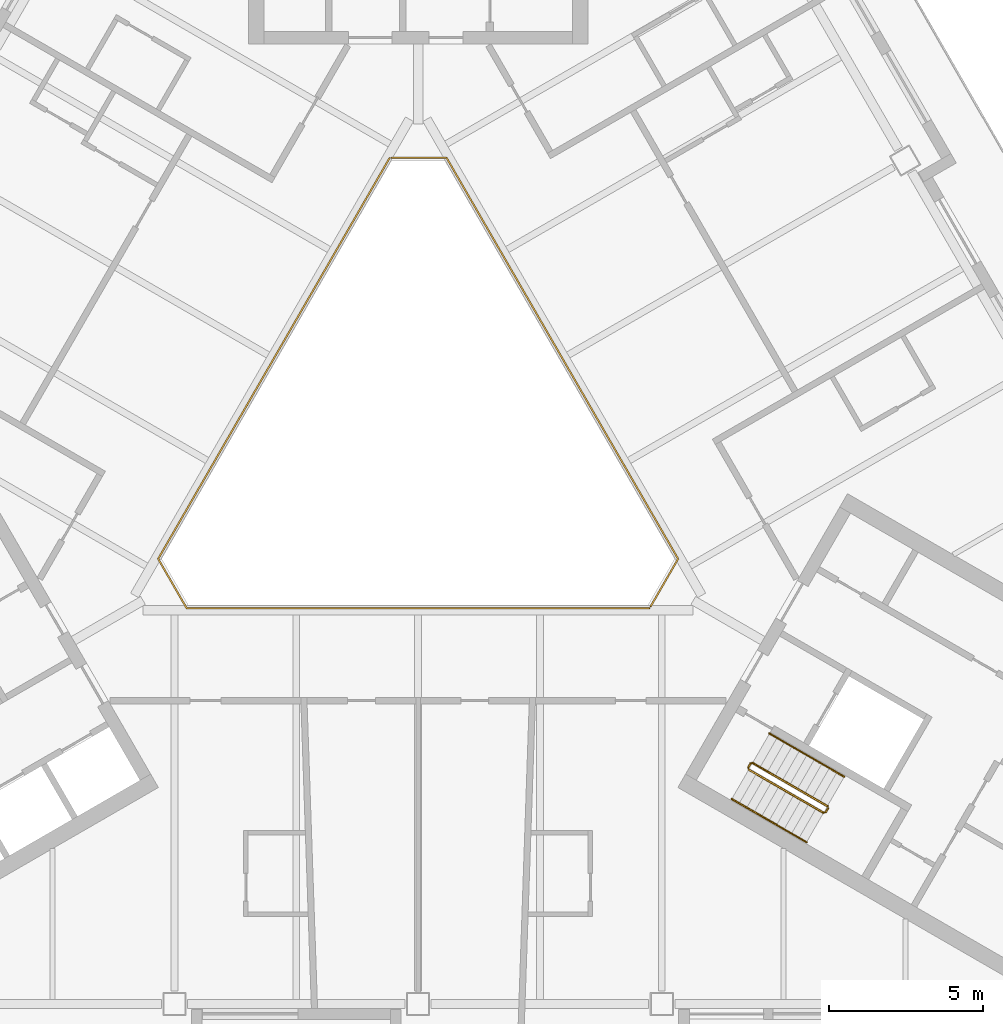
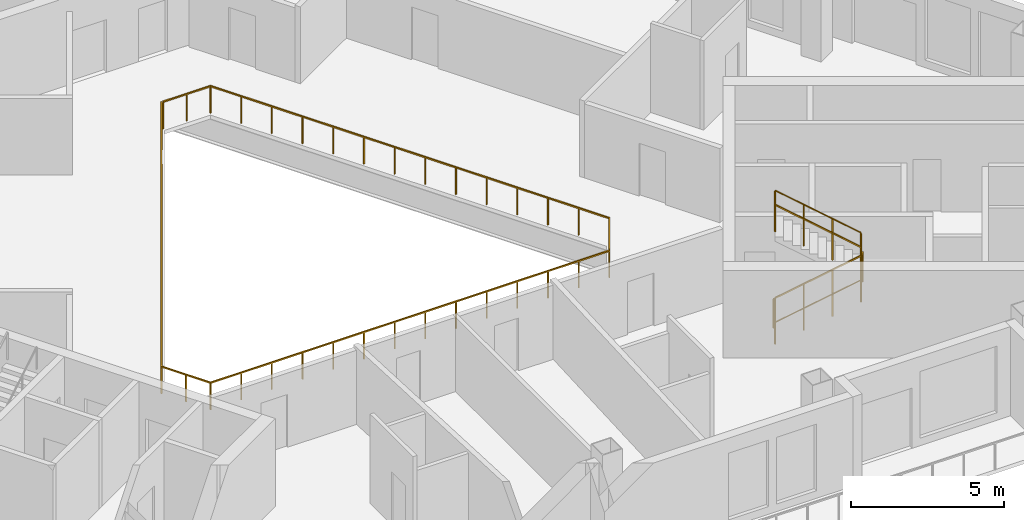
# One storey, part 11 of 13: 8 railings.
"""IFC4 building model written with IfcOpenShell, lengths in metres."""

import ifcopenshell
import ifcopenshell.guid

model = None  # the IFC model being written
_history = None  # IfcOwnerHistory: only IFC2X3 demands one
_inside = {}  # id of a spatial element -> (the spatial element, [elements in it])
_under = {}  # id of a project, library or spatial element -> (it, [spatial elements below it])
_declared = {}  # id of a project -> (the project, [libraries it declares])
_typed = {}  # id of a type object -> (the type object, [elements of that type])
_made_of = {}  # id of a material, layer set ... -> (it, [elements and type objects made of it])


def new_model(schema):
    """Start an empty IFC model of exactly this schema.

    Asked for "IFC4X3", IfcOpenShell would pick the latest addendum, in which some entities
    have other attributes; the version numbers below select the first issue.
    IFC2X3 requires an IfcOwnerHistory on every rooted entity: one is made here for all.
    """
    global model, _history
    if schema == "IFC4X3":
        model = ifcopenshell.file(schema_version=(4, 3, 0, 0))
    else:
        model = ifcopenshell.file(schema=schema)
    _inside.clear()
    _under.clear()
    _declared.clear()
    _typed.clear()
    _made_of.clear()
    _history = None
    if model.schema == "IFC2X3":
        org = make("IfcOrganization", Name="unknown")
        user = make(
            "IfcPersonAndOrganization",
            ThePerson=make("IfcPerson", FamilyName="unknown"),
            TheOrganization=org,
        )
        app = make(
            "IfcApplication",
            ApplicationDeveloper=org,
            Version="unknown",
            ApplicationFullName="unknown",
            ApplicationIdentifier="unknown",
        )
        _history = make(
            "IfcOwnerHistory",
            OwningUser=user,
            OwningApplication=app,
            ChangeAction="ADDED",
            CreationDate=0,
        )
    return model


def make(cls, **values):
    """One entity of the class cls with the attributes given. An attribute that is None is left unset."""
    return model.create_entity(
        cls, **{name: value for name, value in values.items() if value is not None}
    )


def rooted(cls, **values):
    """An entity with a GlobalId (a new one), such as an element, a storey or a relation."""
    return make(cls, GlobalId=ifcopenshell.guid.new(), OwnerHistory=_history, **values)


def si_unit(unit_type, name, prefix=None):
    """IfcSIUnit, for example si_unit("LENGTHUNIT", "METRE", prefix="MILLI")."""
    return make("IfcSIUnit", UnitType=unit_type, Prefix=prefix, Name=name)


def assignment(units):
    """IfcUnitAssignment: the units of a project."""
    return None if units is None else make("IfcUnitAssignment", Units=units)


def point(xyz):
    """IfcCartesianPoint."""
    return None if xyz is None else make("IfcCartesianPoint", Coordinates=xyz)


def direction(xyz):
    """IfcDirection."""
    return None if xyz is None else make("IfcDirection", DirectionRatios=xyz)


def frame(location, z_axis=None, x_axis=None):
    """IfcAxis2Placement3D, a coordinate frame: its origin and axes. An axis left out is left unset."""
    return make(
        "IfcAxis2Placement3D",
        Location=point(location),
        Axis=direction(z_axis),
        RefDirection=direction(x_axis),
    )


def frame_2d(location, x_axis=None):
    """IfcAxis2Placement2D, a coordinate frame in the plane: its origin and x axis."""
    return make(
        "IfcAxis2Placement2D", Location=point(location), RefDirection=direction(x_axis)
    )


def origin():
    """The frame at (0, 0, 0) with its axes left unset."""
    return frame((0.0, 0.0, 0.0))


def origin_2d():
    """The frame at (0, 0) in the plane with its x axis left unset."""
    return frame_2d((0.0, 0.0))


def place(relative_to, where):
    """IfcLocalPlacement: puts the frame where relative to a parent placement (None: the world)."""
    return make(
        "IfcLocalPlacement", PlacementRelTo=relative_to, RelativePlacement=where
    )


def context(
    kind, dimensions, precision=None, world=None, true_north=None, identifier=None
):
    """IfcGeometricRepresentationContext, for example the 3D "Model" context."""
    return make(
        "IfcGeometricRepresentationContext",
        ContextIdentifier=identifier,
        ContextType=kind,
        CoordinateSpaceDimension=dimensions,
        Precision=precision,
        WorldCoordinateSystem=world,
        TrueNorth=true_north,
    )


def subcontext(parent, identifier, kind, view, scale=None):
    """IfcGeometricRepresentationSubContext, for example "Body" below "Model"."""
    return make(
        "IfcGeometricRepresentationSubContext",
        ContextIdentifier=identifier,
        ContextType=kind,
        ParentContext=parent,
        TargetScale=scale,
        TargetView=view,
    )


def project(units=None, contexts=None):
    """IfcProject with its units and contexts."""
    return rooted(
        "IfcProject",
        Name="project",
        RepresentationContexts=contexts,
        UnitsInContext=assignment(units),
    )


def spatial(cls, under=None, at=None, **own):
    """A site, building, storey or space (cls), placed at a placement, below another one or the project."""
    s = rooted(cls, ObjectPlacement=at, **own)
    if under is not None:
        _under.setdefault(under.id(), (under, []))[1].append(s)
    return s


def profile(cls, at=None, kind="AREA", **sizes):
    """A parametric profile (cls). Its sizes go by their IFC names, for example OverallWidth=200.0."""
    return make(cls, ProfileType=kind, Position=at, **sizes)


def rectangle(**sizes):
    """IfcRectangleProfileDef."""
    return profile("IfcRectangleProfileDef", **sizes)


def circle(**sizes):
    """IfcCircleProfileDef."""
    return profile("IfcCircleProfileDef", **sizes)


def extrude(swept, where, along, depth):
    """IfcExtrudedAreaSolid: the profile swept, set in the frame where, extruded along a direction by depth."""
    return make(
        "IfcExtrudedAreaSolid",
        SweptArea=swept,
        Position=where,
        ExtrudedDirection=direction(along),
        Depth=depth,
    )


def shape(context_of_items, identifier, shape_type, items):
    """IfcShapeRepresentation: the items that make up one representation, for example the "Body"."""
    return make(
        "IfcShapeRepresentation",
        ContextOfItems=context_of_items,
        RepresentationIdentifier=identifier,
        RepresentationType=shape_type,
        Items=items,
    )


def material(Name=None, Category=None):
    """IfcMaterial."""
    return make("IfcMaterial", Name=Name, Category=Category)


def made_of(thing, what):
    """Note that an element or type object is made of a material, layer set ...; save() writes the relation."""
    if what is not None:
        _made_of.setdefault(what.id(), (what, []))[1].append(thing)
    return thing


def type_object(cls, material=None, **own):
    """A type object (cls), such as IfcWallType, which elements share."""
    return made_of(rooted(cls, **own), material)


def element(
    cls,
    number,
    at=None,
    inside=None,
    cuts=None,
    type_object=None,
    material=None,
    context=None,
    identifier="Body",
    shape_type=None,
    held_by="IfcProductDefinitionShape",
    body=None,
    shapes=None,
    **own,
):
    """One element of the class cls, such as IfcWall. Its Tag is "e" and its number.

    at: its placement. inside: the storey or other place that contains it. cuts: it is an
    opening in that element (IfcRelVoidsElement). A single representation is given by context,
    identifier, shape_type and body (its items); several are given by shapes. held_by: the class
    of the entity that holds the representations. save() writes the other relations.
    """
    e = rooted(cls, Tag="e%d" % number, ObjectPlacement=at, **own)
    if body is not None:
        shapes = [shape(context, identifier, shape_type, body)]
    if shapes is not None:
        e.Representation = make(held_by, Representations=shapes)
    if inside is not None:
        _inside.setdefault(inside.id(), (inside, []))[1].append(e)
    if cuts is not None:
        rooted(
            "IfcRelVoidsElement", RelatingBuildingElement=cuts, RelatedOpeningElement=e
        )
    if type_object is not None:
        _typed.setdefault(type_object.id(), (type_object, []))[1].append(e)
    return made_of(e, material)


def aggregate(whole, parts):
    """IfcRelAggregates: a whole, such as a stair, and the parts it consists of."""
    return rooted("IfcRelAggregates", RelatingObject=whole, RelatedObjects=parts)


def save(model, path):
    """Write the relations noted so far, then the file.

    IfcRelAggregates (storeys below a building ...), IfcRelContainedInSpatialStructure (elements
    in a storey), IfcRelDefinesByType, IfcRelAssociatesMaterial and IfcRelDeclares: one each for
    every whole, place, type object, material and project.
    """
    for whole, parts in _under.values():
        aggregate(whole, parts)
    for where, things in _inside.values():
        rooted(
            "IfcRelContainedInSpatialStructure",
            RelatedElements=things,
            RelatingStructure=where,
        )
    for kind, things in _typed.values():
        rooted("IfcRelDefinesByType", RelatedObjects=things, RelatingType=kind)
    for what, things in _made_of.values():
        rooted("IfcRelAssociatesMaterial", RelatedObjects=things, RelatingMaterial=what)
    for by, libraries in _declared.values():
        rooted("IfcRelDeclares", RelatingContext=by, RelatedDefinitions=libraries)
    model.write(path)


model = new_model("IFC4")

# Units and contexts
model_context = context("Model", 3, precision=1e-05, world=origin(), true_north=direction((0.0, 1.0)))
body_context = subcontext(model_context, "Body", "Model", "MODEL_VIEW")
ifc_project = project(units=[si_unit("LENGTHUNIT", "METRE"), si_unit("AREAUNIT", "SQUARE_METRE"), si_unit("VOLUMEUNIT", "CUBIC_METRE"), si_unit("PLANEANGLEUNIT", "RADIAN"), si_unit("MASSUNIT", "GRAM", prefix="KILO")], contexts=[model_context])

# Site, building, storey
site_placement = place(None, origin())
site = spatial("IfcSite", under=ifc_project, at=site_placement, CompositionType="ELEMENT")
building_placement = place(site_placement, origin())
building = spatial("IfcBuilding", under=site, at=building_placement, Name="Apuvela Tower Hotel", CompositionType="ELEMENT")
storey_placement = place(building_placement, frame((0.0, 0.0, 187.300048828125)))
storey = spatial("IfcBuildingStorey", under=building, at=storey_placement, Name="L45", CompositionType="ELEMENT", Elevation=187.300048828125)

# Railings
ifc_material_1 = material(Name="Steel S275 balustrade", Category="steel")
railing_type_1 = type_object("IfcRailingType", Name="COR-GUARD-1100", PredefinedType="GUARDRAIL", material=ifc_material_1)
railing_1_placement = place(storey_placement, frame((10.718994140625, -10.63427734375, 0.168212890625)))
element("IfcRailing", 1, at=railing_1_placement, inside=storey, type_object=railing_type_1, Name="L45 ST3 stair guard 1", PredefinedType="GUARDRAIL", context=body_context, shape_type="SweptSolid", body=[
    extrude(rectangle(XDim=0.048095703125, YDim=0.048095703125, at=origin_2d()), frame((0.0, 0.0, 1.076171875), z_axis=(0.74241905619, -0.428617687091, 0.514879426), x_axis=(0.49998411664, 0.866034573852, 0.0)), (0.0, 0.0, 1.0), 3.26611328125),
    extrude(rectangle(XDim=0.0419921875, YDim=0.0419921875, at=origin_2d()), origin(), (0.0, 0.0, 1.0), 1.052001953125),
    extrude(rectangle(XDim=0.0419921875, YDim=0.0419921875, at=origin_2d()), frame((0.808349609375, -0.466552734375, 0.560546875)), (0.0, 0.0, 1.0), 1.052001953125),
    extrude(rectangle(XDim=0.0419921875, YDim=0.0419921875, at=origin_2d()), frame((1.616455078125, -0.933349609375, 1.12109375)), (0.0, 0.0, 1.0), 1.052001953125),
    extrude(rectangle(XDim=0.0419921875, YDim=0.0419921875, at=origin_2d()), frame((2.4248046875, -1.39990234375, 1.681640625)), (0.0, 0.0, 1.0), 1.052001953125),
])
railing_2_placement = place(storey_placement, frame((13.212158203125, -12.015869140625, 1.849853515625)))
element("IfcRailing", 2, at=railing_2_placement, inside=storey, type_object=railing_type_1, Name="L45 ST3 stair guard 2", PredefinedType="GUARDRAIL", context=body_context, shape_type="SweptSolid", body=[
    extrude(rectangle(XDim=0.048095703125, YDim=0.048095703125, at=origin_2d()), frame((0.0, 0.0, 1.076171875), z_axis=(0.499816412211, 0.866131372301, 0.0), x_axis=(-0.866131372301, 0.499816412211, 0.0)), (0.0, 0.0, 1.0), 0.14990234375),
    extrude(rectangle(XDim=0.0419921875, YDim=0.0419921875, at=origin_2d()), origin(), (0.0, 0.0, 1.0), 1.052001953125),
    extrude(rectangle(XDim=0.0419921875, YDim=0.0419921875, at=origin_2d()), frame((0.074951171875, 0.1298828125, 0.0)), (0.0, 0.0, 1.0), 1.052001953125),
])
railing_3_placement = place(storey_placement, frame((13.268798828125, -11.817626953125, 2.01806640625)))
element("IfcRailing", 3, at=railing_3_placement, inside=storey, type_object=railing_type_1, Name="L45 ST3 stair guard 3", PredefinedType="GUARDRAIL", context=body_context, shape_type="SweptSolid", body=[
    extrude(rectangle(XDim=0.048095703125, YDim=0.048095703125, at=origin_2d()), frame((0.0, 0.0, 1.076171875), z_axis=(-0.742390482028, 0.42860119049, 0.514934356695), x_axis=(-0.49998411664, -0.866034573852, 0.0)), (0.0, 0.0, 1.0), 3.26611328125),
    extrude(rectangle(XDim=0.0419921875, YDim=0.0419921875, at=origin_2d()), origin(), (0.0, 0.0, 1.0), 1.052001953125),
    extrude(rectangle(XDim=0.0419921875, YDim=0.0419921875, at=origin_2d()), frame((-0.808349609375, 0.466552734375, 0.560546875)), (0.0, 0.0, 1.0), 1.052001953125),
    extrude(rectangle(XDim=0.0419921875, YDim=0.0419921875, at=origin_2d()), frame((-1.616455078125, 0.933349609375, 1.121337890625)), (0.0, 0.0, 1.0), 1.052001953125),
    extrude(rectangle(XDim=0.0419921875, YDim=0.0419921875, at=origin_2d()), frame((-2.4248046875, 1.39990234375, 1.681884765625)), (0.0, 0.0, 1.0), 1.052001953125),
])
railing_4_placement = place(storey_placement, frame((10.70068359375, -10.56591796875, 0.0)))
element("IfcRailing", 4, at=railing_4_placement, inside=storey, type_object=railing_type_1, Name="L45 ST3 stair guard 4", PredefinedType="GUARDRAIL", context=body_context, shape_type="SweptSolid", body=[
    extrude(rectangle(XDim=0.048095703125, YDim=0.048095703125, at=origin_2d()), frame((0.0, 0.0, 1.076171875), z_axis=(0.499816412211, 0.866131372301, 0.0), x_axis=(-0.866131372301, 0.499816412211, 0.0)), (0.0, 0.0, 1.0), 0.14990234375),
    extrude(rectangle(XDim=0.0419921875, YDim=0.0419921875, at=origin_2d()), origin(), (0.0, 0.0, 1.0), 1.052001953125),
    extrude(rectangle(XDim=0.0419921875, YDim=0.0419921875, at=origin_2d()), frame((0.074951171875, 0.1298828125, 0.0)), (0.0, 0.0, 1.0), 1.052001953125),
])
ifc_material_2 = material(Name="Stainless steel 316 handrail", Category="steel")
railing_type_2 = type_object("IfcRailingType", Name="COR-HANDRAIL-900", PredefinedType="HANDRAIL", material=ifc_material_2)
railing_5_placement = place(storey_placement, frame((10.1689453125, -11.5869140625, 0.168212890625)))
element("IfcRailing", 5, at=railing_5_placement, inside=storey, type_object=railing_type_2, Name="L45 ST3 stair handrail 1", PredefinedType="HANDRAIL", context=body_context, shape_type="SweptSolid", body=[
    extrude(circle(Radius=0.02392578125, at=origin_2d()), frame((0.0, 0.0, 0.8759765625), z_axis=(0.74241905619, -0.428617687091, 0.514879426), x_axis=(0.49998411664, 0.866034573852, 0.0)), (0.0, 0.0, 1.0), 3.26611328125),
    extrude(rectangle(XDim=0.0419921875, YDim=0.0419921875, at=origin_2d()), origin(), (0.0, 0.0, 1.0), 0.851806640625),
    extrude(rectangle(XDim=0.0419921875, YDim=0.0419921875, at=origin_2d()), frame((0.808349609375, -0.466552734375, 0.560546875)), (0.0, 0.0, 1.0), 0.851806640625),
    extrude(rectangle(XDim=0.0419921875, YDim=0.0419921875, at=origin_2d()), frame((1.616455078125, -0.933349609375, 1.12109375)), (0.0, 0.0, 1.0), 0.851806640625),
    extrude(rectangle(XDim=0.0419921875, YDim=0.0419921875, at=origin_2d()), frame((2.4248046875, -1.39990234375, 1.681640625)), (0.0, 0.0, 1.0), 0.851806640625),
])
railing_6_placement = place(storey_placement, frame((13.81884765625, -10.864990234375, 2.01806640625)))
element("IfcRailing", 6, at=railing_6_placement, inside=storey, type_object=railing_type_2, Name="L45 ST3 stair handrail 2", PredefinedType="HANDRAIL", context=body_context, shape_type="SweptSolid", body=[
    extrude(circle(Radius=0.02392578125, at=origin_2d()), frame((0.0, 0.0, 0.8759765625), z_axis=(-0.742390482028, 0.42860119049, 0.514934356695), x_axis=(-0.49998411664, -0.866034573852, 0.0)), (0.0, 0.0, 1.0), 3.26611328125),
    extrude(rectangle(XDim=0.0419921875, YDim=0.0419921875, at=origin_2d()), origin(), (0.0, 0.0, 1.0), 0.851806640625),
    extrude(rectangle(XDim=0.0419921875, YDim=0.0419921875, at=origin_2d()), frame((-0.808349609375, 0.466552734375, 0.560546875)), (0.0, 0.0, 1.0), 0.851806640625),
    extrude(rectangle(XDim=0.0419921875, YDim=0.0419921875, at=origin_2d()), frame((-1.616455078125, 0.933349609375, 1.121337890625)), (0.0, 0.0, 1.0), 0.851806640625),
    extrude(rectangle(XDim=0.0419921875, YDim=0.0419921875, at=origin_2d()), frame((-2.4248046875, 1.39990234375, 1.681884765625)), (0.0, 0.0, 1.0), 0.851806640625),
])
ifc_material_3 = material(Name="Stainless steel 316 rail with laminated glass infill", Category="steel")
railing_type_3 = type_object("IfcRailingType", Name="ENV-GUARD-1100", PredefinedType="GUARDRAIL", material=ifc_material_3)
railing_7_placement = place(storey_placement, frame((-0.923828125, 9.199951171875, 0.0)))
element("IfcRailing", 7, at=railing_7_placement, inside=storey, type_object=railing_type_3, Name="Atrium void guard A L45", PredefinedType="GUARDRAIL", context=body_context, shape_type="SweptSolid", body=[
    extrude(rectangle(XDim=0.050048828125, YDim=0.050048828125, at=origin_2d()), frame((0.0, 0.0, 1.0751953125), z_axis=(-0.499990886379, -0.866030665472, 0.0), x_axis=(0.866030665472, -0.499990886379, 0.0)), (0.0, 0.0, 1.0), 15.010986328125),
    extrude(rectangle(XDim=0.050048828125, YDim=0.050048828125, at=origin_2d()), frame((-7.50537109375, -13.0, 1.0751953125), z_axis=(0.499962699187, -0.866046938348, 0.0), x_axis=(0.866046938348, 0.499962699187, 0.0)), (0.0, 0.0, 1.0), 1.847412109375),
    extrude(rectangle(XDim=0.050048828125, YDim=0.050048828125, at=origin_2d()), frame((-6.581787109375, -14.599853515625, 1.0751953125), z_axis=(1.0, 0.0, 0.0), x_axis=(0.0, 1.0, 0.0)), (0.0, 0.0, 1.0), 15.01123046875),
    extrude(rectangle(XDim=0.0400390625, YDim=0.0400390625, at=origin_2d()), origin(), (0.0, 0.0, 1.0), 1.050048828125),
    extrude(rectangle(XDim=0.0400390625, YDim=0.0400390625, at=origin_2d()), frame((-0.577392578125, -1.0, 0.0)), (0.0, 0.0, 1.0), 1.050048828125),
    extrude(rectangle(XDim=0.0400390625, YDim=0.0400390625, at=origin_2d()), frame((-1.15478515625, -2.0, 0.0)), (0.0, 0.0, 1.0), 1.050048828125),
    extrude(rectangle(XDim=0.0400390625, YDim=0.0400390625, at=origin_2d()), frame((-1.73193359375, -3.0, 0.0)), (0.0, 0.0, 1.0), 1.050048828125),
    extrude(rectangle(XDim=0.0400390625, YDim=0.0400390625, at=origin_2d()), frame((-2.309326171875, -4.0, 0.0)), (0.0, 0.0, 1.0), 1.050048828125),
    extrude(rectangle(XDim=0.0400390625, YDim=0.0400390625, at=origin_2d()), frame((-2.88671875, -5.0, 0.0)), (0.0, 0.0, 1.0), 1.050048828125),
    extrude(rectangle(XDim=0.0400390625, YDim=0.0400390625, at=origin_2d()), frame((-3.464111328125, -6.0, 0.0)), (0.0, 0.0, 1.0), 1.050048828125),
    extrude(rectangle(XDim=0.0400390625, YDim=0.0400390625, at=origin_2d()), frame((-4.041259765625, -7.0, 0.0)), (0.0, 0.0, 1.0), 1.050048828125),
    extrude(rectangle(XDim=0.0400390625, YDim=0.0400390625, at=origin_2d()), frame((-4.61865234375, -8.0, 0.0)), (0.0, 0.0, 1.0), 1.050048828125),
    extrude(rectangle(XDim=0.0400390625, YDim=0.0400390625, at=origin_2d()), frame((-5.196044921875, -9.0, 0.0)), (0.0, 0.0, 1.0), 1.050048828125),
    extrude(rectangle(XDim=0.0400390625, YDim=0.0400390625, at=origin_2d()), frame((-5.7734375, -10.0, 0.0)), (0.0, 0.0, 1.0), 1.050048828125),
    extrude(rectangle(XDim=0.0400390625, YDim=0.0400390625, at=origin_2d()), frame((-6.3505859375, -11.0, 0.0)), (0.0, 0.0, 1.0), 1.050048828125),
    extrude(rectangle(XDim=0.0400390625, YDim=0.0400390625, at=origin_2d()), frame((-6.927978515625, -12.0, 0.0)), (0.0, 0.0, 1.0), 1.050048828125),
    extrude(rectangle(XDim=0.0400390625, YDim=0.0400390625, at=origin_2d()), frame((-7.50537109375, -13.0, 0.0)), (0.0, 0.0, 1.0), 1.050048828125),
    extrude(rectangle(XDim=0.0400390625, YDim=0.0400390625, at=origin_2d()), frame((-7.04345703125, -13.7998046875, 0.0)), (0.0, 0.0, 1.0), 1.050048828125),
    extrude(rectangle(XDim=0.0400390625, YDim=0.0400390625, at=origin_2d()), frame((-6.581787109375, -14.599853515625, 0.0)), (0.0, 0.0, 1.0), 1.050048828125),
    extrude(rectangle(XDim=0.0400390625, YDim=0.0400390625, at=origin_2d()), frame((-5.427001953125, -14.599853515625, 0.0)), (0.0, 0.0, 1.0), 1.050048828125),
    extrude(rectangle(XDim=0.0400390625, YDim=0.0400390625, at=origin_2d()), frame((-4.2724609375, -14.599853515625, 0.0)), (0.0, 0.0, 1.0), 1.050048828125),
    extrude(rectangle(XDim=0.0400390625, YDim=0.0400390625, at=origin_2d()), frame((-3.11767578125, -14.599853515625, 0.0)), (0.0, 0.0, 1.0), 1.050048828125),
    extrude(rectangle(XDim=0.0400390625, YDim=0.0400390625, at=origin_2d()), frame((-1.962890625, -14.599853515625, 0.0)), (0.0, 0.0, 1.0), 1.050048828125),
    extrude(rectangle(XDim=0.0400390625, YDim=0.0400390625, at=origin_2d()), frame((-0.808349609375, -14.599853515625, 0.0)), (0.0, 0.0, 1.0), 1.050048828125),
    extrude(rectangle(XDim=0.0400390625, YDim=0.0400390625, at=origin_2d()), frame((0.346435546875, -14.599853515625, 0.0)), (0.0, 0.0, 1.0), 1.050048828125),
    extrude(rectangle(XDim=0.0400390625, YDim=0.0400390625, at=origin_2d()), frame((1.501220703125, -14.599853515625, 0.0)), (0.0, 0.0, 1.0), 1.050048828125),
    extrude(rectangle(XDim=0.0400390625, YDim=0.0400390625, at=origin_2d()), frame((2.656005859375, -14.599853515625, 0.0)), (0.0, 0.0, 1.0), 1.050048828125),
    extrude(rectangle(XDim=0.0400390625, YDim=0.0400390625, at=origin_2d()), frame((3.810546875, -14.599853515625, 0.0)), (0.0, 0.0, 1.0), 1.050048828125),
    extrude(rectangle(XDim=0.0400390625, YDim=0.0400390625, at=origin_2d()), frame((4.96533203125, -14.599853515625, 0.0)), (0.0, 0.0, 1.0), 1.050048828125),
    extrude(rectangle(XDim=0.0400390625, YDim=0.0400390625, at=origin_2d()), frame((6.1201171875, -14.599853515625, 0.0)), (0.0, 0.0, 1.0), 1.050048828125),
    extrude(rectangle(XDim=0.0400390625, YDim=0.0400390625, at=origin_2d()), frame((7.274658203125, -14.599853515625, 0.0)), (0.0, 0.0, 1.0), 1.050048828125),
    extrude(rectangle(XDim=0.0400390625, YDim=0.0400390625, at=origin_2d()), frame((8.429443359375, -14.599853515625, 0.0)), (0.0, 0.0, 1.0), 1.050048828125),
])
railing_8_placement = place(storey_placement, frame((7.53564453125, -5.347900390625, 0.0)))
element("IfcRailing", 8, at=railing_8_placement, inside=storey, type_object=railing_type_3, Name="Atrium void guard B L45", PredefinedType="GUARDRAIL", context=body_context, shape_type="SweptSolid", body=[
    extrude(rectangle(XDim=0.050048828125, YDim=0.050048828125, at=origin_2d()), frame((0.0, 0.0, 1.0751953125), z_axis=(0.499958946799, 0.866049104564, 0.0), x_axis=(-0.866049104564, 0.499958946799, 0.0)), (0.0, 0.0, 1.0), 1.787353515625),
    extrude(rectangle(XDim=0.050048828125, YDim=0.050048828125, at=origin_2d()), frame((0.8935546875, 1.5478515625, 1.0751953125), z_axis=(-0.499990886379, 0.866030665472, 0.0), x_axis=(-0.866030665472, -0.499990886379, 0.0)), (0.0, 0.0, 1.0), 15.010986328125),
    extrude(rectangle(XDim=0.050048828125, YDim=0.050048828125, at=origin_2d()), frame((-6.61181640625, 14.5478515625, 1.0751953125), z_axis=(-1.0, 0.0, 0.0), x_axis=(0.0, -1.0, 0.0)), (0.0, 0.0, 1.0), 1.78759765625),
    extrude(rectangle(XDim=0.0400390625, YDim=0.0400390625, at=origin_2d()), origin(), (0.0, 0.0, 1.0), 1.050048828125),
    extrude(rectangle(XDim=0.0400390625, YDim=0.0400390625, at=origin_2d()), frame((0.44677734375, 0.77392578125, 0.0)), (0.0, 0.0, 1.0), 1.050048828125),
    extrude(rectangle(XDim=0.0400390625, YDim=0.0400390625, at=origin_2d()), frame((0.8935546875, 1.5478515625, 0.0)), (0.0, 0.0, 1.0), 1.050048828125),
    extrude(rectangle(XDim=0.0400390625, YDim=0.0400390625, at=origin_2d()), frame((0.316162109375, 2.5478515625, 0.0)), (0.0, 0.0, 1.0), 1.050048828125),
    extrude(rectangle(XDim=0.0400390625, YDim=0.0400390625, at=origin_2d()), frame((-0.26123046875, 3.5478515625, 0.0)), (0.0, 0.0, 1.0), 1.050048828125),
    extrude(rectangle(XDim=0.0400390625, YDim=0.0400390625, at=origin_2d()), frame((-0.83837890625, 4.5478515625, 0.0)), (0.0, 0.0, 1.0), 1.050048828125),
    extrude(rectangle(XDim=0.0400390625, YDim=0.0400390625, at=origin_2d()), frame((-1.415771484375, 5.5478515625, 0.0)), (0.0, 0.0, 1.0), 1.050048828125),
    extrude(rectangle(XDim=0.0400390625, YDim=0.0400390625, at=origin_2d()), frame((-1.9931640625, 6.5478515625, 0.0)), (0.0, 0.0, 1.0), 1.050048828125),
    extrude(rectangle(XDim=0.0400390625, YDim=0.0400390625, at=origin_2d()), frame((-2.570556640625, 7.5478515625, 0.0)), (0.0, 0.0, 1.0), 1.050048828125),
    extrude(rectangle(XDim=0.0400390625, YDim=0.0400390625, at=origin_2d()), frame((-3.147705078125, 8.5478515625, 0.0)), (0.0, 0.0, 1.0), 1.050048828125),
    extrude(rectangle(XDim=0.0400390625, YDim=0.0400390625, at=origin_2d()), frame((-3.72509765625, 9.5478515625, 0.0)), (0.0, 0.0, 1.0), 1.050048828125),
    extrude(rectangle(XDim=0.0400390625, YDim=0.0400390625, at=origin_2d()), frame((-4.302490234375, 10.5478515625, 0.0)), (0.0, 0.0, 1.0), 1.050048828125),
    extrude(rectangle(XDim=0.0400390625, YDim=0.0400390625, at=origin_2d()), frame((-4.8798828125, 11.5478515625, 0.0)), (0.0, 0.0, 1.0), 1.050048828125),
    extrude(rectangle(XDim=0.0400390625, YDim=0.0400390625, at=origin_2d()), frame((-5.45703125, 12.5478515625, 0.0)), (0.0, 0.0, 1.0), 1.050048828125),
    extrude(rectangle(XDim=0.0400390625, YDim=0.0400390625, at=origin_2d()), frame((-6.034423828125, 13.5478515625, 0.0)), (0.0, 0.0, 1.0), 1.050048828125),
    extrude(rectangle(XDim=0.0400390625, YDim=0.0400390625, at=origin_2d()), frame((-6.61181640625, 14.5478515625, 0.0)), (0.0, 0.0, 1.0), 1.050048828125),
    extrude(rectangle(XDim=0.0400390625, YDim=0.0400390625, at=origin_2d()), frame((-7.505615234375, 14.5478515625, 0.0)), (0.0, 0.0, 1.0), 1.050048828125),
    extrude(rectangle(XDim=0.0400390625, YDim=0.0400390625, at=origin_2d()), frame((-8.3994140625, 14.5478515625, 0.0)), (0.0, 0.0, 1.0), 1.050048828125),
])

save(model, "model.ifc")
